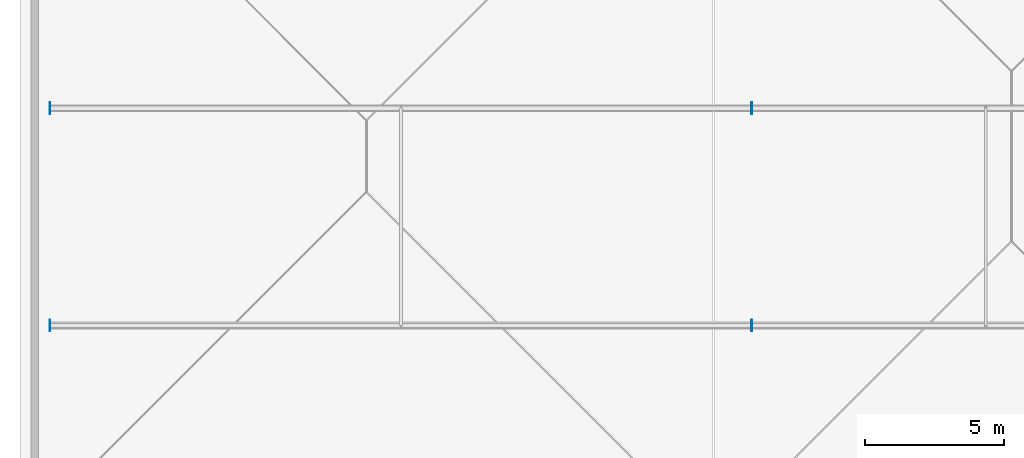
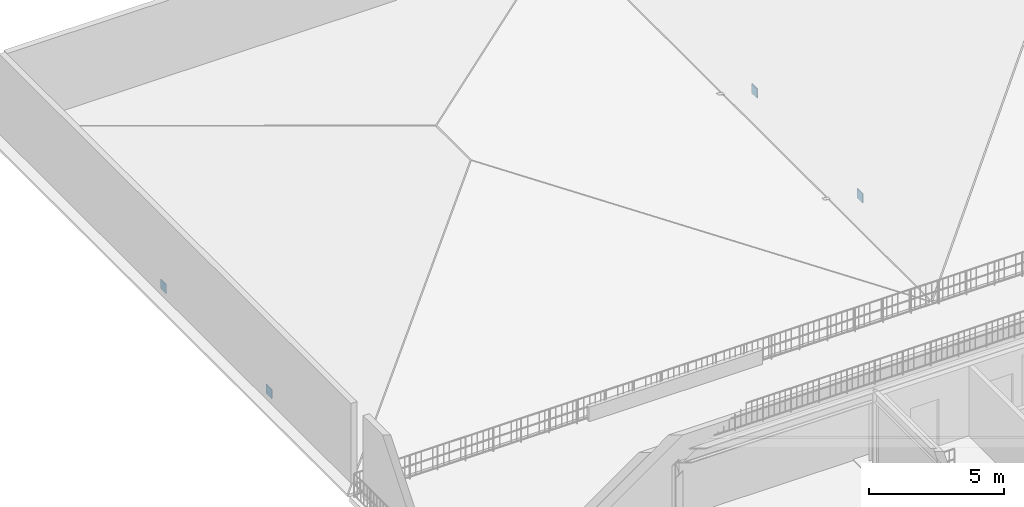
# One storey, part 5 of 16: 6 plates.
"""IFC4 building model written with IfcOpenShell, lengths in metres."""

from ifc_helpers import new_model, si_unit, direction, frame, origin, origin_2d, place, context, subcontext, project, spatial, rectangle, extrude, material, layer, layer_set, type_object, element, save


model = new_model("IFC4")

# Units and contexts
model_context = context("Model", 3, precision=1e-05, world=origin(), true_north=direction((0.0, 1.0)))
body_context = subcontext(model_context, "Body", "Model", "MODEL_VIEW")
ifc_project = project(units=[si_unit("LENGTHUNIT", "METRE"), si_unit("AREAUNIT", "SQUARE_METRE"), si_unit("VOLUMEUNIT", "CUBIC_METRE"), si_unit("PLANEANGLEUNIT", "RADIAN"), si_unit("MASSUNIT", "GRAM", prefix="KILO")], contexts=[model_context])

# Site, building, storey
site_placement = place(None, origin())
site = spatial("IfcSite", under=ifc_project, at=site_placement, CompositionType="ELEMENT")
building_placement = place(site_placement, origin())
building = spatial("IfcBuilding", under=site, at=building_placement, Name="Nabrawat Pavilion Hospital", CompositionType="ELEMENT")
storey_placement = place(building_placement, frame((0.0, 0.0, 35.10009765625)))
storey = spatial("IfcBuildingStorey", under=building, at=storey_placement, Name="Roof", CompositionType="ELEMENT", Elevation=35.10009765625)

# Plates
ifc_material = material(Name="Steel S355", Category="steel")
ifc_layer = layer(ifc_material, 0.02001953125, Name="Steel S355")
ifc_layer_set = layer_set([ifc_layer], Name="Steel S355")
plate_type = type_object("IfcPlateType", Name="Space Frame Interior Gusset Node Plate 420x420x20", PredefinedType="USERDEFINED", material=ifc_layer_set)
for number, where, z_axis, x_axis, name in (
    (1, (151.18994140625, 93.60009765625, -0.56005859375), (0.0, 0.0, 1.0), (1.0, 0.0, 0.0), "Inpatient North-West Pavilion Tie Chord End Cap Plate 01-W"),
    (2, (176.409912109375, 93.60009765625, -0.56005859375), (0.0, 0.0, 1.0), (1.0, 0.0, 0.0), "Inpatient North-West Pavilion Tie Chord End Cap Plate 01-E"),
    (3, (151.18994140625, 101.39990234375, -0.56005859375), (0.0, 0.0, 1.0), (1.0, 0.0, 0.0), "Inpatient North-West Pavilion Tie Chord End Cap Plate 02-W"),
    (4, (176.409912109375, 101.39990234375, -0.56005859375), (0.0, 0.0, 1.0), (1.0, 0.0, 0.0), "Inpatient North-West Pavilion Tie Chord End Cap Plate 02-E"),
    (5, (176.389892578125, 93.60009765625, -0.56005859375), (0.0, 0.0, 1.0), (1.0, 0.0, 0.0), "Inpatient North-East Pavilion Tie Chord End Cap Plate 01-W"),
    (6, (176.389892578125, 101.39990234375, -0.56005859375), (0.0, 0.0, 1.0), (1.0, 0.0, 0.0), "Inpatient North-East Pavilion Tie Chord End Cap Plate 02-W"),
):
    element("IfcPlate", number, at=place(storey_placement, frame(where, z_axis=z_axis, x_axis=x_axis)), inside=storey, type_object=plate_type, Name=name, ObjectType="GUSSET PLATE", PredefinedType="USERDEFINED", context=body_context, shape_type="SweptSolid", body=[
        extrude(rectangle(XDim=0.02001953125, YDim=0.419921875, at=origin_2d()), origin(), (0.0, 0.0, 1.0), 0.419921875),
    ])

save(model, "model.ifc")
